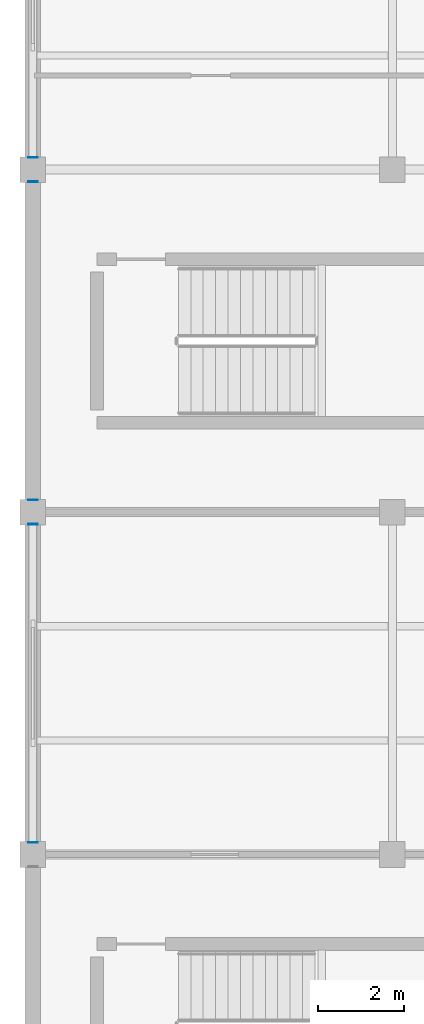
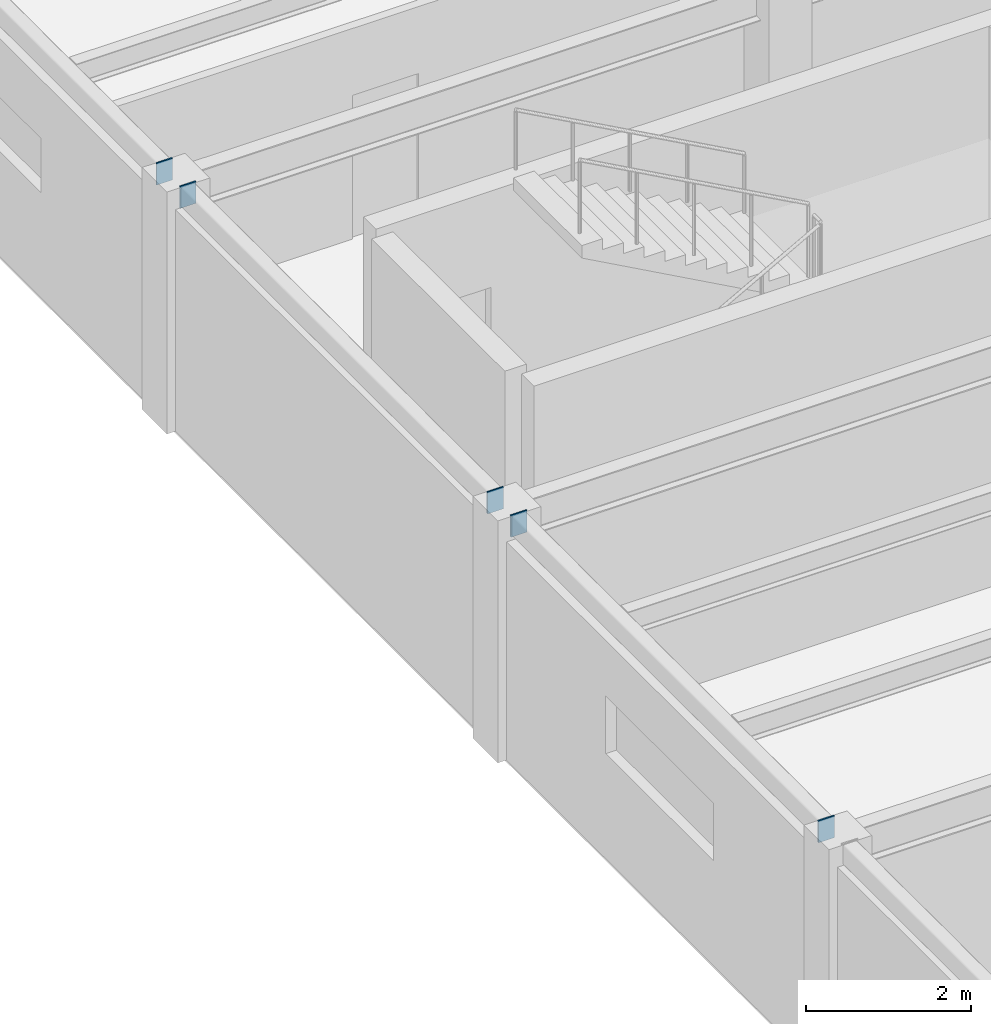
# One storey, part 71 of 96: 5 discrete accessories.
"""IFC4 building model written with IfcOpenShell, lengths in metres."""

from ifc_helpers import new_model, si_unit, direction, frame, origin, origin_2d, place, context, subcontext, project, spatial, rectangle, extrude, material, layer, layer_set, type_object, element, save


model = new_model("IFC4")

# Units and contexts
model_context = context("Model", 3, precision=1e-05, world=origin(), true_north=direction((0.0, 1.0)))
body_context = subcontext(model_context, "Body", "Model", "MODEL_VIEW")
ifc_project = project(units=[si_unit("LENGTHUNIT", "METRE"), si_unit("AREAUNIT", "SQUARE_METRE"), si_unit("VOLUMEUNIT", "CUBIC_METRE"), si_unit("PLANEANGLEUNIT", "RADIAN"), si_unit("MASSUNIT", "GRAM", prefix="KILO")], contexts=[model_context])

# Site, building, storey
site_placement = place(None, origin())
site = spatial("IfcSite", under=ifc_project, at=site_placement, CompositionType="ELEMENT")
building_placement = place(site_placement, origin())
building = spatial("IfcBuilding", under=site, at=building_placement, Name="Kranzveld Transit Interchange", CompositionType="ELEMENT")
storey_placement = place(building_placement, frame((0.0, 0.0, 9.52001953125)))
storey = spatial("IfcBuildingStorey", under=building, at=storey_placement, Name="L02", CompositionType="ELEMENT", Elevation=9.52001953125)

# Discrete accessories
ifc_material = material(Name="Steel S355JR", Category="steel")
ifc_layer = layer(ifc_material, 0.02001953125)
ifc_layer_set = layer_set([ifc_layer], Name="Steel S355JR")
discrete_accessory_type = type_object("IfcDiscreteAccessoryType", Name="Hollow Section End Cap Bracket 20 S355JR", PredefinedType="BRACKET", material=ifc_layer_set)
for number, where, z_axis, x_axis, name in (
    (1, (0.0, 72.2939453125, 3.419921875), (0.0, -1.0, 0.0), (1.0, 0.0, 0.0), "Hollow Section End Cap SP-RHS300-1"),
    (2, (0.0, 79.7060546875, 3.419921875), (0.0, 1.0, 0.0), (-1.0, 0.0, 0.0), "Hollow Section End Cap SP-RHS300-2"),
    (3, (0.0, 80.2939453125, 3.419921875), (0.0, -1.0, 0.0), (1.0, 0.0, 0.0), "Hollow Section End Cap SP-RHS300-1"),
    (4, (0.0, 87.7060546875, 3.419921875), (0.0, 1.0, 0.0), (-1.0, 0.0, 0.0), "Hollow Section End Cap SP-RHS300-2"),
    (5, (0.0, 88.2939453125, 3.419921875), (0.0, -1.0, 0.0), (1.0, 0.0, 0.0), "Hollow Section End Cap SP-RHS300-1"),
):
    element("IfcDiscreteAccessory", number, at=place(storey_placement, frame(where, z_axis=z_axis, x_axis=x_axis)), inside=storey, type_object=discrete_accessory_type, Name=name, PredefinedType="BRACKET", context=body_context, shape_type="SweptSolid", body=[
        extrude(rectangle(XDim=0.22412109375, YDim=0.323974609375, at=origin_2d()), origin(), (0.0, 0.0, 1.0), 0.02001953125),
    ])

save(model, "model.ifc")
